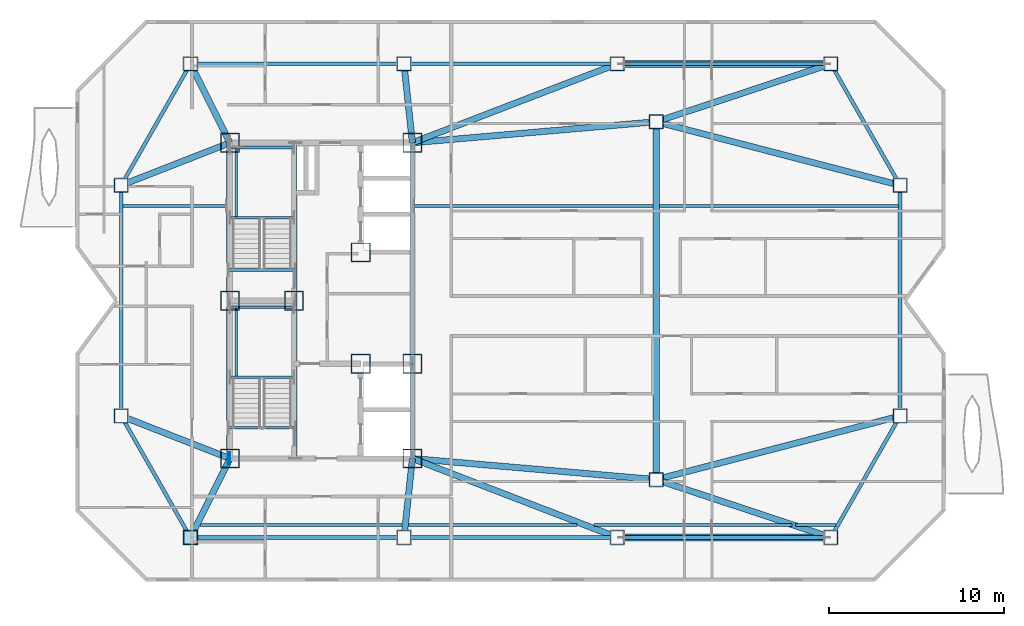
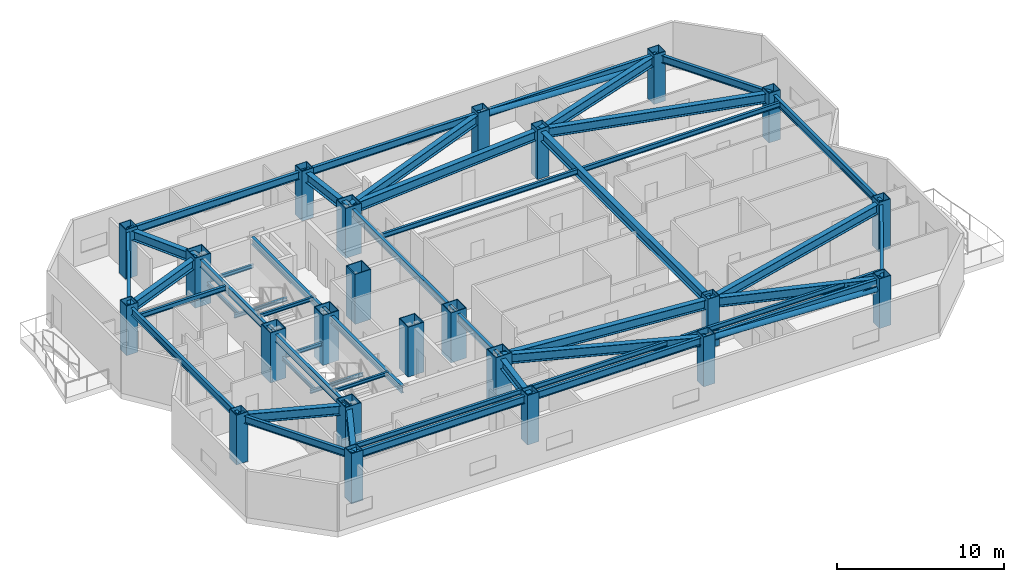
# One storey, part 1 of 10: 48 beams, 23 columns, 3 plates, 2 members.
"""IFC4 building model written with IfcOpenShell, lengths in metres."""

from ifc_helpers import new_model, si_unit, direction, frame, origin, origin_2d, place, context, subcontext, project, spatial, rectangle, hollow_rectangle, hollow_circle, i_section, extrude, material, layer, layer_set, material_profile, profile_set, type_object, element, save


model = new_model("IFC4")

# Units and contexts
model_context = context("Model", 3, precision=1e-05, world=origin(), true_north=direction((0.0, 1.0)))
body_context = subcontext(model_context, "Body", "Model", "MODEL_VIEW")
ifc_project = project(units=[si_unit("LENGTHUNIT", "METRE"), si_unit("AREAUNIT", "SQUARE_METRE"), si_unit("VOLUMEUNIT", "CUBIC_METRE"), si_unit("PLANEANGLEUNIT", "RADIAN"), si_unit("MASSUNIT", "GRAM", prefix="KILO")], contexts=[model_context])

# Site, building, storey
site_placement = place(None, origin())
site = spatial("IfcSite", under=ifc_project, at=site_placement, CompositionType="ELEMENT")
building_placement = place(site_placement, origin())
building = spatial("IfcBuilding", under=site, at=building_placement, Name="Khamvora Tower", CompositionType="ELEMENT")
storey_placement = place(building_placement, frame((0.0, 0.0, 217.199951171875)))
storey = spatial("IfcBuildingStorey", under=building, at=storey_placement, Name="L55", CompositionType="ELEMENT", Elevation=217.199951171875)

# Columns
ifc_material_1 = material(Name="Steel S460", Category="steel")
ifc_material_profile_1 = material_profile(ifc_material_1, hollow_rectangle(XDim=1.10009765625, YDim=1.10009765625, WallThickness=0.054931640625, at=origin_2d()), Name="BOX1100x1100x55")
ifc_profile_set_1 = profile_set([ifc_material_profile_1], Name="Steel S460")
column_type_1 = type_object("IfcColumnType", Name="COL-BOX1100", PredefinedType="COLUMN", material=ifc_profile_set_1)
for number, where, z_axis, x_axis, name in (
    (1, (29.0, 19.0, 0.0), (0.0, 0.0, 1.0), (1.0, 0.0, 0.0), "L55 plumb core spine column SC1"),
    (2, (32.64990234375, 28.0, 0.0), (0.0, 0.0, 1.0), (1.0, 0.0, 0.0), "L55 plumb core spine column SC2"),
    (3, (39.39990234375, 19.0, 0.0), (0.0, 0.0, 1.0), (1.0, 0.0, 0.0), "L55 plumb core spine column SC3"),
    (4, (29.0, 28.0, 0.0), (0.0, 0.0, 1.0), (1.0, 0.0, 0.0), "L55 plumb core spine column SC4"),
    (5, (36.449951171875, 24.39990234375, 0.0), (0.0, 0.0, 1.0), (1.0, 0.0, 0.0), "L55 plumb core spine column SC5"),
    (6, (39.39990234375, 24.39990234375, 0.0), (0.0, 0.0, 1.0), (1.0, 0.0, 0.0), "L55 plumb core spine column SC6"),
    (7, (29.0, 37.0, 0.0), (0.0, 0.0, 1.0), (1.0, 0.0, 0.0), "L55 plumb core spine column SC7"),
    (8, (36.449951171875, 30.75, 0.0), (0.0, 0.0, 1.0), (1.0, 0.0, 0.0), "L55 plumb core spine column SC8"),
    (9, (39.39990234375, 37.0, 0.0), (0.0, 0.0, 1.0), (1.0, 0.0, 0.0), "L55 plumb core spine column SC9"),
):
    element("IfcColumn", number, at=place(storey_placement, frame(where, z_axis=z_axis, x_axis=x_axis)), inside=storey, type_object=column_type_1, Name=name, PredefinedType="COLUMN", context=body_context, shape_type="SweptSolid", body=[
        extrude(hollow_rectangle(XDim=1.10009765625, YDim=1.10009765625, WallThickness=0.054931640625, at=origin_2d()), origin(), (0.0, 0.0, 1.0), 3.650146484375),
    ])
ifc_material_2 = material(Name="Steel S355", Category="steel")
ifc_material_profile_2 = material_profile(ifc_material_2, hollow_rectangle(XDim=0.800048828125, YDim=0.800048828125, WallThickness=0.0400390625, at=origin_2d()), Name="BOX800x800x40")
ifc_profile_set_2 = profile_set([ifc_material_profile_2], Name="Steel S355")
column_type_2 = type_object("IfcColumnType", Name="COL-BOX800", PredefinedType="COLUMN", material=ifc_profile_set_2)
for number, where, z_axis, x_axis, name in (
    (10, (26.75, 14.5, 0.025146484375), (0.0, 0.0, 1.0), (1.0, 0.0, 0.0), "L55 structural frame column S1"),
    (11, (38.9169921875, 14.5, 0.025146484375), (0.0, 0.0, 1.0), (1.0, 0.0, 0.0), "L55 structural frame column S2"),
    (12, (51.0830078125, 14.5, 0.025146484375), (0.0, 0.0, 1.0), (1.0, 0.0, 0.0), "L55 structural frame column S3"),
    (13, (63.25, 14.5, 0.025146484375), (0.0, 0.0, 1.0), (1.0, 0.0, 0.0), "L55 structural frame column S4"),
    (14, (26.75, 41.5, 0.025146484375), (0.0, 0.0, 1.0), (1.0, 0.0, 0.0), "L55 structural frame column N1"),
    (15, (38.9169921875, 41.5, 0.025146484375), (0.0, 0.0, 1.0), (1.0, 0.0, 0.0), "L55 structural frame column N2"),
    (16, (51.0830078125, 41.5, 0.025146484375), (0.0, 0.0, 1.0), (1.0, 0.0, 0.0), "L55 structural frame column N3"),
    (17, (63.25, 41.5, 0.025146484375), (0.0, 0.0, 1.0), (1.0, 0.0, 0.0), "L55 structural frame column N4"),
    (18, (22.800048828125, 21.425048828125, 0.025146484375), (0.0, 0.0, 1.0), (1.0, 0.0, 0.0), "L55 structural frame column W1"),
    (19, (22.800048828125, 34.574951171875, 0.025146484375), (0.0, 0.0, 1.0), (1.0, 0.0, 0.0), "L55 structural frame column W2"),
    (20, (67.199951171875, 21.425048828125, 0.025146484375), (0.0, 0.0, 1.0), (1.0, 0.0, 0.0), "L55 structural frame column E1"),
    (21, (67.199951171875, 34.574951171875, 0.025146484375), (0.0, 0.0, 1.0), (1.0, 0.0, 0.0), "L55 structural frame column E2"),
    (22, (53.300048828125, 17.800048828125, 0.025146484375), (0.0, 0.0, 1.0), (1.0, 0.0, 0.0), "L55 structural frame column M1"),
    (23, (53.300048828125, 38.199951171875, 0.025146484375), (0.0, 0.0, 1.0), (1.0, 0.0, 0.0), "L55 structural frame column M2"),
):
    element("IfcColumn", number, at=place(storey_placement, frame(where, z_axis=z_axis, x_axis=x_axis)), inside=storey, type_object=column_type_2, Name=name, PredefinedType="COLUMN", context=body_context, shape_type="SweptSolid", body=[
        extrude(hollow_rectangle(XDim=0.800048828125, YDim=0.800048828125, WallThickness=0.0400390625, at=origin_2d()), origin(), (0.0, 0.0, 1.0), 3.625),
    ])

# Beams
ifc_material_profile_3 = material_profile(ifc_material_2, i_section(OverallWidth=0.1708984375, OverallDepth=0.35498046875, WebThickness=0.007080078125, FlangeThickness=0.011962890625, FilletRadius=0.010009765625, at=origin_2d()), Name="W360x51")
ifc_profile_set_3 = profile_set([ifc_material_profile_3], Name="Steel S355")
beam_type_1 = type_object("IfcBeamType", Name="BM-JS-W360x51", PredefinedType="JOIST", material=ifc_profile_set_3)
beam_1_placement = place(storey_placement, frame((27.29296875, 15.199951171875, 3.251953125), z_axis=(1.0, 0.0, 0.0), x_axis=(0.0, 1.0, 0.0)))
element("IfcBeam", 24, at=beam_1_placement, inside=storey, type_object=beam_type_1, Name="L55 secondary floor joist 01", PredefinedType="JOIST", context=body_context, shape_type="SweptSolid", body=[
    extrude(i_section(OverallWidth=0.1708984375, OverallDepth=0.35498046875, WebThickness=0.007080078125, FlangeThickness=0.011962890625, FilletRadius=0.010009765625, at=origin_2d()), origin(), (0.0, 0.0, 1.0), 11.526123046875),
])
beam_2_placement = place(storey_placement, frame((39.166015625, 15.199951171875, 3.251953125), z_axis=(1.0, 0.0, 0.0), x_axis=(0.0, 1.0, 0.0)))
element("IfcBeam", 25, at=beam_2_placement, inside=storey, type_object=beam_type_1, Name="L55 secondary floor joist 02", PredefinedType="JOIST", context=body_context, shape_type="SweptSolid", body=[
    extrude(i_section(OverallWidth=0.1708984375, OverallDepth=0.35498046875, WebThickness=0.007080078125, FlangeThickness=0.011962890625, FilletRadius=0.010009765625, at=origin_2d()), origin(), (0.0, 0.0, 1.0), 9.611083984375),
])
beam_3_placement = place(storey_placement, frame((49.75390625, 15.199951171875, 3.251953125), z_axis=(1.0, 0.0, 0.0), x_axis=(0.0, 1.0, 0.0)))
element("IfcBeam", 26, at=beam_3_placement, inside=storey, type_object=beam_type_1, Name="L55 secondary floor joist 03", PredefinedType="JOIST", context=body_context, shape_type="SweptSolid", body=[
    extrude(i_section(OverallWidth=0.1708984375, OverallDepth=0.35498046875, WebThickness=0.007080078125, FlangeThickness=0.011962890625, FilletRadius=0.010009765625, at=origin_2d()), origin(), (0.0, 0.0, 1.0), 11.2900390625),
])
beam_4_placement = place(storey_placement, frame((61.23388671875, 15.199951171875, 3.251953125), z_axis=(1.0, 0.0, 0.0), x_axis=(0.0, 1.0, 0.0)))
element("IfcBeam", 27, at=beam_4_placement, inside=storey, type_object=beam_type_1, Name="L55 secondary floor joist 04", PredefinedType="JOIST", context=body_context, shape_type="SweptSolid", body=[
    extrude(i_section(OverallWidth=0.1708984375, OverallDepth=0.35498046875, WebThickness=0.007080078125, FlangeThickness=0.011962890625, FilletRadius=0.010009765625, at=origin_2d()), origin(), (0.0, 0.0, 1.0), 2.300048828125),
])
beam_5_placement = place(storey_placement, frame((22.89892578125, 33.39990234375, 3.251953125), z_axis=(1.0, 0.0, 0.0), x_axis=(0.0, 1.0, 0.0)))
element("IfcBeam", 28, at=beam_5_placement, inside=storey, type_object=beam_type_1, Name="L55 secondary floor joist 05", PredefinedType="JOIST", context=body_context, shape_type="SweptSolid", body=[
    extrude(i_section(OverallWidth=0.1708984375, OverallDepth=0.35498046875, WebThickness=0.007080078125, FlangeThickness=0.011962890625, FilletRadius=0.010009765625, at=origin_2d()), origin(), (0.0, 0.0, 1.0), 5.901123046875),
])
beam_6_placement = place(storey_placement, frame((39.4990234375, 33.39990234375, 3.251953125), z_axis=(1.0, 0.0, 0.0), x_axis=(0.0, 1.0, 0.0)))
element("IfcBeam", 29, at=beam_6_placement, inside=storey, type_object=beam_type_1, Name="L55 secondary floor joist 06", PredefinedType="JOIST", context=body_context, shape_type="SweptSolid", body=[
    extrude(i_section(OverallWidth=0.1708984375, OverallDepth=0.35498046875, WebThickness=0.007080078125, FlangeThickness=0.011962890625, FilletRadius=0.010009765625, at=origin_2d()), origin(), (0.0, 0.0, 1.0), 13.6279296875),
])
beam_7_placement = place(storey_placement, frame((53.471923828125, 33.39990234375, 3.251953125), z_axis=(1.0, 0.0, 0.0), x_axis=(0.0, 1.0, 0.0)))
element("IfcBeam", 30, at=beam_7_placement, inside=storey, type_object=beam_type_1, Name="L55 secondary floor joist 07", PredefinedType="JOIST", context=body_context, shape_type="SweptSolid", body=[
    extrude(i_section(OverallWidth=0.1708984375, OverallDepth=0.35498046875, WebThickness=0.007080078125, FlangeThickness=0.011962890625, FilletRadius=0.010009765625, at=origin_2d()), origin(), (0.0, 0.0, 1.0), 13.628173828125),
])
ifc_material_profile_4 = material_profile(ifc_material_2, i_section(OverallWidth=0.14697265625, OverallDepth=0.261962890625, WebThickness=0.007080078125, FlangeThickness=0.010986328125, FilletRadius=0.008056640625, at=origin_2d()), Name="W250x39")
ifc_profile_set_4 = profile_set([ifc_material_profile_4], Name="Steel S355")
beam_type_2 = type_object("IfcBeamType", Name="BM-LN-W250x39", PredefinedType="LINTEL", material=ifc_profile_set_4)
for number, where, z_axis, x_axis, name in (
    (31, (29.0, 23.635009765625, 1.494140625), (1.0, 0.0, 0.0), (0.0, 1.0, 0.0), "L55 ST-01 half-landing support beam 1.1"),
    (32, (29.0, 27.6298828125, 1.494140625), (1.0, 0.0, 0.0), (0.0, 1.0, 0.0), "L55 ST-01 half-landing support beam 1.2"),
):
    element("IfcBeam", number, at=place(storey_placement, frame(where, z_axis=z_axis, x_axis=x_axis)), inside=storey, type_object=beam_type_2, Name=name, PredefinedType="LINTEL", context=body_context, shape_type="SweptSolid", body=[
        extrude(i_section(OverallWidth=0.14697265625, OverallDepth=0.261962890625, WebThickness=0.007080078125, FlangeThickness=0.010986328125, FilletRadius=0.008056640625, at=origin_2d()), origin(), (0.0, 0.0, 1.0), 3.64990234375),
    ])
beam_8_placement = place(storey_placement, frame((29.35009765625, 23.635009765625, 1.494140625), z_axis=(0.0, 1.0, 0.0), x_axis=(-1.0, 0.0, 0.0)))
element("IfcBeam", 33, at=beam_8_placement, inside=storey, type_object=beam_type_2, Name="L55 ST-01 half-landing edge stringer 1", PredefinedType="LINTEL", context=body_context, shape_type="SweptSolid", body=[
    extrude(i_section(OverallWidth=0.14697265625, OverallDepth=0.261962890625, WebThickness=0.007080078125, FlangeThickness=0.010986328125, FilletRadius=0.008056640625, at=origin_2d()), origin(), (0.0, 0.0, 1.0), 3.994873046875),
])
for number, where, z_axis, x_axis, name in (
    (34, (29.0, 32.735107421875, 1.494140625), (1.0, 0.0, 0.0), (0.0, 1.0, 0.0), "L55 ST-02 half-landing support beam 1.1"),
    (35, (29.0, 36.72998046875, 1.494140625), (1.0, 0.0, 0.0), (0.0, 1.0, 0.0), "L55 ST-02 half-landing support beam 1.2"),
):
    element("IfcBeam", number, at=place(storey_placement, frame(where, z_axis=z_axis, x_axis=x_axis)), inside=storey, type_object=beam_type_2, Name=name, PredefinedType="LINTEL", context=body_context, shape_type="SweptSolid", body=[
        extrude(i_section(OverallWidth=0.14697265625, OverallDepth=0.261962890625, WebThickness=0.007080078125, FlangeThickness=0.010986328125, FilletRadius=0.008056640625, at=origin_2d()), origin(), (0.0, 0.0, 1.0), 3.64990234375),
    ])
beam_9_placement = place(storey_placement, frame((29.35009765625, 32.735107421875, 1.494140625), z_axis=(0.0, 1.0, 0.0), x_axis=(-1.0, 0.0, 0.0)))
element("IfcBeam", 36, at=beam_9_placement, inside=storey, type_object=beam_type_2, Name="L55 ST-02 half-landing edge stringer 1", PredefinedType="LINTEL", context=body_context, shape_type="SweptSolid", body=[
    extrude(i_section(OverallWidth=0.14697265625, OverallDepth=0.261962890625, WebThickness=0.007080078125, FlangeThickness=0.010986328125, FilletRadius=0.008056640625, at=origin_2d()), origin(), (0.0, 0.0, 1.0), 3.994873046875),
])
for number, where, z_axis, x_axis, name in (
    (37, (28.89990234375, 20.75, 3.303955078125), (1.0, 0.0, 0.0), (0.0, 1.0, 0.0), "L55 exit stair ST-01 landing trimmer beam"),
    (38, (28.89990234375, 29.75, 3.303955078125), (1.0, 0.0, 0.0), (0.0, 1.0, 0.0), "L55 exit stair ST-02 landing trimmer beam"),
):
    element("IfcBeam", number, at=place(storey_placement, frame(where, z_axis=z_axis, x_axis=x_axis)), inside=storey, type_object=beam_type_2, Name=name, PredefinedType="LINTEL", context=body_context, shape_type="SweptSolid", body=[
        extrude(i_section(OverallWidth=0.14697265625, OverallDepth=0.261962890625, WebThickness=0.007080078125, FlangeThickness=0.010986328125, FilletRadius=0.008056640625, at=origin_2d()), origin(), (0.0, 0.0, 1.0), 3.830078125),
    ])
ifc_material_profile_5 = material_profile(ifc_material_2, i_section(OverallWidth=0.35498046875, OverallDepth=0.695068359375, WebThickness=0.014892578125, FlangeThickness=0.02490234375, FilletRadius=0.01611328125, at=origin_2d()), Name="W690x217")
ifc_profile_set_5 = profile_set([ifc_material_profile_5], Name="Steel S355")
beam_type_3 = type_object("IfcBeamType", Name="BM-PG-W690x217", PredefinedType="BEAM", material=ifc_profile_set_5)
beam_10_placement = place(storey_placement, frame((53.300048828125, 17.800048828125, 3.08203125), z_axis=(0.0, 1.0, 0.0), x_axis=(-1.0, 0.0, 0.0)))
element("IfcBeam", 39, at=beam_10_placement, inside=storey, type_object=beam_type_3, Name="L55 longitudinal frame girder M1-M2", PredefinedType="BEAM", context=body_context, shape_type="SweptSolid", body=[
    extrude(i_section(OverallWidth=0.35498046875, OverallDepth=0.695068359375, WebThickness=0.014892578125, FlangeThickness=0.02490234375, FilletRadius=0.01611328125, at=origin_2d()), origin(), (0.0, 0.0, 1.0), 20.39990234375),
])
beam_11_placement = place(storey_placement, frame((29.0, 19.0, 3.08203125), z_axis=(-0.4472135955, -0.894427191, 0.0), x_axis=(0.894427191, -0.4472135955, 0.0)))
element("IfcBeam", 40, at=beam_11_placement, inside=storey, type_object=beam_type_3, Name="L55 primary floor girder S1", PredefinedType="BEAM", context=body_context, shape_type="SweptSolid", body=[
    extrude(i_section(OverallWidth=0.35498046875, OverallDepth=0.695068359375, WebThickness=0.014892578125, FlangeThickness=0.02490234375, FilletRadius=0.01611328125, at=origin_2d()), origin(), (0.0, 0.0, 1.0), 5.03125),
])
beam_12_placement = place(storey_placement, frame((39.39990234375, 19.0, 3.08203125), z_axis=(-0.106700735484, -0.994291181218, 0.0), x_axis=(0.994291181218, -0.106700735484, 0.0)))
element("IfcBeam", 41, at=beam_12_placement, inside=storey, type_object=beam_type_3, Name="L55 primary floor girder S2", PredefinedType="BEAM", context=body_context, shape_type="SweptSolid", body=[
    extrude(i_section(OverallWidth=0.35498046875, OverallDepth=0.695068359375, WebThickness=0.014892578125, FlangeThickness=0.02490234375, FilletRadius=0.01611328125, at=origin_2d()), origin(), (0.0, 0.0, 1.0), 4.52587890625),
])
beam_13_placement = place(storey_placement, frame((39.39990234375, 19.0, 3.08203125), z_axis=(0.933171601475, -0.359431164759, 0.0), x_axis=(0.359431164759, 0.933171601475, 0.0)))
element("IfcBeam", 42, at=beam_13_placement, inside=storey, type_object=beam_type_3, Name="L55 primary floor girder S3", PredefinedType="BEAM", context=body_context, shape_type="SweptSolid", body=[
    extrude(i_section(OverallWidth=0.35498046875, OverallDepth=0.695068359375, WebThickness=0.014892578125, FlangeThickness=0.02490234375, FilletRadius=0.01611328125, at=origin_2d()), origin(), (0.0, 0.0, 1.0), 12.519775390625),
])
beam_14_placement = place(storey_placement, frame((53.300048828125, 17.800048828125, 3.08203125), z_axis=(0.949157330029, -0.314802101092, 0.0), x_axis=(0.314802101092, 0.949157330029, 0.0)))
element("IfcBeam", 43, at=beam_14_placement, inside=storey, type_object=beam_type_3, Name="L55 primary floor girder S4", PredefinedType="BEAM", context=body_context, shape_type="SweptSolid", body=[
    extrude(i_section(OverallWidth=0.35498046875, OverallDepth=0.695068359375, WebThickness=0.014892578125, FlangeThickness=0.02490234375, FilletRadius=0.01611328125, at=origin_2d()), origin(), (0.0, 0.0, 1.0), 10.48291015625),
])
beam_15_placement = place(storey_placement, frame((29.0, 37.0, 3.08203125), z_axis=(-0.4472135955, 0.894427191, 0.0), x_axis=(-0.894427191, -0.4472135955, 0.0)))
element("IfcBeam", 44, at=beam_15_placement, inside=storey, type_object=beam_type_3, Name="L55 primary floor girder N1", PredefinedType="BEAM", context=body_context, shape_type="SweptSolid", body=[
    extrude(i_section(OverallWidth=0.35498046875, OverallDepth=0.695068359375, WebThickness=0.014892578125, FlangeThickness=0.02490234375, FilletRadius=0.01611328125, at=origin_2d()), origin(), (0.0, 0.0, 1.0), 5.03125),
])
beam_16_placement = place(storey_placement, frame((39.39990234375, 37.0, 3.08203125), z_axis=(-0.106700735484, 0.994291181218, 0.0), x_axis=(-0.994291181218, -0.106700735484, 0.0)))
element("IfcBeam", 45, at=beam_16_placement, inside=storey, type_object=beam_type_3, Name="L55 primary floor girder N2", PredefinedType="BEAM", context=body_context, shape_type="SweptSolid", body=[
    extrude(i_section(OverallWidth=0.35498046875, OverallDepth=0.695068359375, WebThickness=0.014892578125, FlangeThickness=0.02490234375, FilletRadius=0.01611328125, at=origin_2d()), origin(), (0.0, 0.0, 1.0), 4.52587890625),
])
beam_17_placement = place(storey_placement, frame((39.39990234375, 37.0, 3.08203125), z_axis=(0.933171601475, 0.359431164759, 0.0), x_axis=(-0.359431164759, 0.933171601475, 0.0)))
element("IfcBeam", 46, at=beam_17_placement, inside=storey, type_object=beam_type_3, Name="L55 primary floor girder N3", PredefinedType="BEAM", context=body_context, shape_type="SweptSolid", body=[
    extrude(i_section(OverallWidth=0.35498046875, OverallDepth=0.695068359375, WebThickness=0.014892578125, FlangeThickness=0.02490234375, FilletRadius=0.01611328125, at=origin_2d()), origin(), (0.0, 0.0, 1.0), 12.519775390625),
])
beam_18_placement = place(storey_placement, frame((53.300048828125, 38.199951171875, 3.08203125), z_axis=(0.949157330029, 0.314802101092, 0.0), x_axis=(-0.314802101092, 0.949157330029, 0.0)))
element("IfcBeam", 47, at=beam_18_placement, inside=storey, type_object=beam_type_3, Name="L55 primary floor girder N4", PredefinedType="BEAM", context=body_context, shape_type="SweptSolid", body=[
    extrude(i_section(OverallWidth=0.35498046875, OverallDepth=0.695068359375, WebThickness=0.014892578125, FlangeThickness=0.02490234375, FilletRadius=0.01611328125, at=origin_2d()), origin(), (0.0, 0.0, 1.0), 10.48291015625),
])
for number, where, z_axis, x_axis, name in (
    (48, (29.0, 19.0, 3.08203125), (-0.931294712743, 0.36426660294, 0.0), (-0.36426660294, -0.931294712743, 0.0), "L55 primary floor girder W1"),
    (49, (29.0, 37.0, 3.08203125), (-0.931294712743, -0.36426660294, 0.0), (0.36426660294, -0.931294712743, 0.0), "L55 primary floor girder W2"),
):
    element("IfcBeam", number, at=place(storey_placement, frame(where, z_axis=z_axis, x_axis=x_axis)), inside=storey, type_object=beam_type_3, Name=name, PredefinedType="BEAM", context=body_context, shape_type="SweptSolid", body=[
        extrude(i_section(OverallWidth=0.35498046875, OverallDepth=0.695068359375, WebThickness=0.014892578125, FlangeThickness=0.02490234375, FilletRadius=0.01611328125, at=origin_2d()), origin(), (0.0, 0.0, 1.0), 6.6572265625),
    ])
for number, where, z_axis, x_axis, name in (
    (50, (53.300048828125, 17.800048828125, 3.08203125), (0.967635318494, 0.252352710314, 0.0), (-0.252352710314, 0.967635318494, 0.0), "L55 primary floor girder E1"),
    (51, (53.300048828125, 38.199951171875, 3.08203125), (0.967635318494, -0.252352710314, 0.0), (0.252352710314, 0.967635318494, 0.0), "L55 primary floor girder E2"),
):
    element("IfcBeam", number, at=place(storey_placement, frame(where, z_axis=z_axis, x_axis=x_axis)), inside=storey, type_object=beam_type_3, Name=name, PredefinedType="BEAM", context=body_context, shape_type="SweptSolid", body=[
        extrude(i_section(OverallWidth=0.35498046875, OverallDepth=0.695068359375, WebThickness=0.014892578125, FlangeThickness=0.02490234375, FilletRadius=0.01611328125, at=origin_2d()), origin(), (0.0, 0.0, 1.0), 14.36474609375),
    ])
for number, where, z_axis, x_axis, name in (
    (52, (39.39990234375, 19.0, 3.08203125), (0.996294564212, -0.08600663534, 0.0), (0.08600663534, 0.996294564212, 0.0), "L55 primary floor girder M1"),
    (53, (39.39990234375, 37.0, 3.08203125), (0.996294564212, 0.08600663534, 0.0), (-0.08600663534, 0.996294564212, 0.0), "L55 primary floor girder M2"),
):
    element("IfcBeam", number, at=place(storey_placement, frame(where, z_axis=z_axis, x_axis=x_axis)), inside=storey, type_object=beam_type_3, Name=name, PredefinedType="BEAM", context=body_context, shape_type="SweptSolid", body=[
        extrude(i_section(OverallWidth=0.35498046875, OverallDepth=0.695068359375, WebThickness=0.014892578125, FlangeThickness=0.02490234375, FilletRadius=0.01611328125, at=origin_2d()), origin(), (0.0, 0.0, 1.0), 13.951904296875),
    ])
ifc_material_profile_6 = material_profile(ifc_material_2, i_section(OverallWidth=0.208984375, OverallDepth=0.532958984375, WebThickness=0.010009765625, FlangeThickness=0.01611328125, FilletRadius=0.013916015625, at=origin_2d()), Name="W530x92")
ifc_profile_set_6 = profile_set([ifc_material_profile_6], Name="Steel S355")
beam_type_4 = type_object("IfcBeamType", Name="BM-SP-W530x92", PredefinedType="SPANDREL", material=ifc_profile_set_6)
beam_19_placement = place(storey_placement, frame((22.800048828125, 21.425048828125, 3.1630859375), z_axis=(0.495456118564, -0.868632968853, 0.0), x_axis=(0.868632968853, 0.495456118564, 0.0)))
element("IfcBeam", 54, at=beam_19_placement, inside=storey, type_object=beam_type_4, Name="L55 perimeter spandrel beam W1-S1", PredefinedType="SPANDREL", context=body_context, shape_type="SweptSolid", body=[
    extrude(i_section(OverallWidth=0.208984375, OverallDepth=0.532958984375, WebThickness=0.010009765625, FlangeThickness=0.01611328125, FilletRadius=0.013916015625, at=origin_2d()), origin(), (0.0, 0.0, 1.0), 7.972412109375),
])
beam_20_placement = place(storey_placement, frame((26.75, 14.5, 3.1630859375), z_axis=(1.0, 0.0, 0.0), x_axis=(0.0, 1.0, 0.0)))
element("IfcBeam", 55, at=beam_20_placement, inside=storey, type_object=beam_type_4, Name="L55 perimeter spandrel beam S1-S2", PredefinedType="SPANDREL", context=body_context, shape_type="SweptSolid", body=[
    extrude(i_section(OverallWidth=0.208984375, OverallDepth=0.532958984375, WebThickness=0.010009765625, FlangeThickness=0.01611328125, FilletRadius=0.013916015625, at=origin_2d()), origin(), (0.0, 0.0, 1.0), 12.1669921875),
])
beam_21_placement = place(storey_placement, frame((38.9169921875, 14.5, 3.1630859375), z_axis=(1.0, 0.0, 0.0), x_axis=(0.0, 1.0, 0.0)))
element("IfcBeam", 56, at=beam_21_placement, inside=storey, type_object=beam_type_4, Name="L55 perimeter spandrel beam S2-S3", PredefinedType="SPANDREL", context=body_context, shape_type="SweptSolid", body=[
    extrude(i_section(OverallWidth=0.208984375, OverallDepth=0.532958984375, WebThickness=0.010009765625, FlangeThickness=0.01611328125, FilletRadius=0.013916015625, at=origin_2d()), origin(), (0.0, 0.0, 1.0), 12.166015625),
])
beam_22_placement = place(storey_placement, frame((51.0830078125, 14.5, 3.1630859375), z_axis=(1.0, 0.0, 0.0), x_axis=(0.0, 1.0, 0.0)))
element("IfcBeam", 57, at=beam_22_placement, inside=storey, type_object=beam_type_4, Name="L55 perimeter spandrel beam S3-S4", PredefinedType="SPANDREL", context=body_context, shape_type="SweptSolid", body=[
    extrude(i_section(OverallWidth=0.208984375, OverallDepth=0.532958984375, WebThickness=0.010009765625, FlangeThickness=0.01611328125, FilletRadius=0.013916015625, at=origin_2d()), origin(), (0.0, 0.0, 1.0), 12.1669921875),
])
beam_23_placement = place(storey_placement, frame((63.25, 14.5, 3.1630859375), z_axis=(0.495456118564, 0.868632968853, 0.0), x_axis=(-0.868632968853, 0.495456118564, 0.0)))
element("IfcBeam", 58, at=beam_23_placement, inside=storey, type_object=beam_type_4, Name="L55 perimeter spandrel beam S4-E1", PredefinedType="SPANDREL", context=body_context, shape_type="SweptSolid", body=[
    extrude(i_section(OverallWidth=0.208984375, OverallDepth=0.532958984375, WebThickness=0.010009765625, FlangeThickness=0.01611328125, FilletRadius=0.013916015625, at=origin_2d()), origin(), (0.0, 0.0, 1.0), 7.972412109375),
])
beam_24_placement = place(storey_placement, frame((67.199951171875, 21.425048828125, 3.1630859375), z_axis=(0.0, 1.0, 0.0), x_axis=(-1.0, 0.0, 0.0)))
element("IfcBeam", 59, at=beam_24_placement, inside=storey, type_object=beam_type_4, Name="L55 perimeter spandrel beam E1-E2", PredefinedType="SPANDREL", context=body_context, shape_type="SweptSolid", body=[
    extrude(i_section(OverallWidth=0.208984375, OverallDepth=0.532958984375, WebThickness=0.010009765625, FlangeThickness=0.01611328125, FilletRadius=0.013916015625, at=origin_2d()), origin(), (0.0, 0.0, 1.0), 13.14990234375),
])
beam_25_placement = place(storey_placement, frame((67.199951171875, 34.574951171875, 3.1630859375), z_axis=(-0.495456118564, 0.868632968853, 0.0), x_axis=(-0.868632968853, -0.495456118564, 0.0)))
element("IfcBeam", 60, at=beam_25_placement, inside=storey, type_object=beam_type_4, Name="L55 perimeter spandrel beam E2-N4", PredefinedType="SPANDREL", context=body_context, shape_type="SweptSolid", body=[
    extrude(i_section(OverallWidth=0.208984375, OverallDepth=0.532958984375, WebThickness=0.010009765625, FlangeThickness=0.01611328125, FilletRadius=0.013916015625, at=origin_2d()), origin(), (0.0, 0.0, 1.0), 7.972412109375),
])
beam_26_placement = place(storey_placement, frame((63.25, 41.5, 3.1630859375), z_axis=(-1.0, 0.0, 0.0), x_axis=(0.0, -1.0, 0.0)))
element("IfcBeam", 61, at=beam_26_placement, inside=storey, type_object=beam_type_4, Name="L55 perimeter spandrel beam N4-N3", PredefinedType="SPANDREL", context=body_context, shape_type="SweptSolid", body=[
    extrude(i_section(OverallWidth=0.208984375, OverallDepth=0.532958984375, WebThickness=0.010009765625, FlangeThickness=0.01611328125, FilletRadius=0.013916015625, at=origin_2d()), origin(), (0.0, 0.0, 1.0), 12.1669921875),
])
beam_27_placement = place(storey_placement, frame((51.0830078125, 41.5, 3.1630859375), z_axis=(-1.0, 0.0, 0.0), x_axis=(0.0, -1.0, 0.0)))
element("IfcBeam", 62, at=beam_27_placement, inside=storey, type_object=beam_type_4, Name="L55 perimeter spandrel beam N3-N2", PredefinedType="SPANDREL", context=body_context, shape_type="SweptSolid", body=[
    extrude(i_section(OverallWidth=0.208984375, OverallDepth=0.532958984375, WebThickness=0.010009765625, FlangeThickness=0.01611328125, FilletRadius=0.013916015625, at=origin_2d()), origin(), (0.0, 0.0, 1.0), 12.166015625),
])
beam_28_placement = place(storey_placement, frame((38.9169921875, 41.5, 3.1630859375), z_axis=(-1.0, 0.0, 0.0), x_axis=(0.0, -1.0, 0.0)))
element("IfcBeam", 63, at=beam_28_placement, inside=storey, type_object=beam_type_4, Name="L55 perimeter spandrel beam N2-N1", PredefinedType="SPANDREL", context=body_context, shape_type="SweptSolid", body=[
    extrude(i_section(OverallWidth=0.208984375, OverallDepth=0.532958984375, WebThickness=0.010009765625, FlangeThickness=0.01611328125, FilletRadius=0.013916015625, at=origin_2d()), origin(), (0.0, 0.0, 1.0), 12.1669921875),
])
beam_29_placement = place(storey_placement, frame((26.75, 41.5, 3.1630859375), z_axis=(-0.495456118564, -0.868632968853, 0.0), x_axis=(0.868632968853, -0.495456118564, 0.0)))
element("IfcBeam", 64, at=beam_29_placement, inside=storey, type_object=beam_type_4, Name="L55 perimeter spandrel beam N1-W2", PredefinedType="SPANDREL", context=body_context, shape_type="SweptSolid", body=[
    extrude(i_section(OverallWidth=0.208984375, OverallDepth=0.532958984375, WebThickness=0.010009765625, FlangeThickness=0.01611328125, FilletRadius=0.013916015625, at=origin_2d()), origin(), (0.0, 0.0, 1.0), 7.972412109375),
])
beam_30_placement = place(storey_placement, frame((22.800048828125, 34.574951171875, 3.1630859375), z_axis=(0.0, -1.0, 0.0), x_axis=(1.0, 0.0, 0.0)))
element("IfcBeam", 65, at=beam_30_placement, inside=storey, type_object=beam_type_4, Name="L55 perimeter spandrel beam W2-W1", PredefinedType="SPANDREL", context=body_context, shape_type="SweptSolid", body=[
    extrude(i_section(OverallWidth=0.208984375, OverallDepth=0.532958984375, WebThickness=0.010009765625, FlangeThickness=0.01611328125, FilletRadius=0.013916015625, at=origin_2d()), origin(), (0.0, 0.0, 1.0), 13.14990234375),
])
for number, where, z_axis, x_axis, name in (
    (66, (28.89990234375, 19.0, 3.1630859375), (0.0, 1.0, 0.0), (-1.0, 0.0, 0.0), "L55 core spine girder WS"),
    (67, (28.89990234375, 28.0, 3.1630859375), (0.0, 1.0, 0.0), (-1.0, 0.0, 0.0), "L55 core spine girder WN"),
    (68, (32.72998046875, 19.0, 3.1630859375), (0.0, 1.0, 0.0), (-1.0, 0.0, 0.0), "L55 core spine girder M1S"),
    (69, (32.72998046875, 28.0, 3.1630859375), (0.0, 1.0, 0.0), (-1.0, 0.0, 0.0), "L55 core spine girder M1N"),
):
    element("IfcBeam", number, at=place(storey_placement, frame(where, z_axis=z_axis, x_axis=x_axis)), inside=storey, type_object=beam_type_4, Name=name, PredefinedType="SPANDREL", context=body_context, shape_type="SweptSolid", body=[
        extrude(i_section(OverallWidth=0.208984375, OverallDepth=0.532958984375, WebThickness=0.010009765625, FlangeThickness=0.01611328125, FilletRadius=0.013916015625, at=origin_2d()), origin(), (0.0, 0.0, 1.0), 9.0),
    ])
beam_31_placement = place(storey_placement, frame((39.39990234375, 19.0, 3.1630859375), z_axis=(0.0, 1.0, 0.0), x_axis=(-1.0, 0.0, 0.0)))
element("IfcBeam", 70, at=beam_31_placement, inside=storey, type_object=beam_type_4, Name="L55 core spine girder ES", PredefinedType="SPANDREL", context=body_context, shape_type="SweptSolid", body=[
    extrude(i_section(OverallWidth=0.208984375, OverallDepth=0.532958984375, WebThickness=0.010009765625, FlangeThickness=0.01611328125, FilletRadius=0.013916015625, at=origin_2d()), origin(), (0.0, 0.0, 1.0), 5.39990234375),
])
beam_32_placement = place(storey_placement, frame((39.39990234375, 24.39990234375, 3.1630859375), z_axis=(0.0, 1.0, 0.0), x_axis=(-1.0, 0.0, 0.0)))
element("IfcBeam", 71, at=beam_32_placement, inside=storey, type_object=beam_type_4, Name="L55 core spine girder EN", PredefinedType="SPANDREL", context=body_context, shape_type="SweptSolid", body=[
    extrude(i_section(OverallWidth=0.208984375, OverallDepth=0.532958984375, WebThickness=0.010009765625, FlangeThickness=0.01611328125, FilletRadius=0.013916015625, at=origin_2d()), origin(), (0.0, 0.0, 1.0), 12.60009765625),
])

# Members
ifc_material_profile_7 = material_profile(ifc_material_2, hollow_circle(Radius=0.202880859375, WallThickness=0.01611328125, at=origin_2d()), Name="CHS406x16")
ifc_profile_set_7 = profile_set([ifc_material_profile_7], Name="Steel S355")
member_type = type_object("IfcMemberType", Name="MEM-BR-CHS406", PredefinedType="BRACE", material=ifc_profile_set_7)
for number, where, z_axis, x_axis, name in (
    (72, (62.8701171875, 14.5, 2.695068359375), (-0.999212836813, 0.0, 0.039669972868), (0.0, -1.0, 0.0), "L55 perimeter wind brace 1"),
    (73, (62.8701171875, 41.5, 2.695068359375), (-0.999212836813, 0.0, 0.039669972868), (0.0, -1.0, 0.0), "L55 perimeter wind brace 2"),
):
    element("IfcMember", number, at=place(storey_placement, frame(where, z_axis=z_axis, x_axis=x_axis)), inside=storey, type_object=member_type, Name=name, PredefinedType="BRACE", context=body_context, shape_type="SweptSolid", body=[
        extrude(hollow_circle(Radius=0.202880859375, WallThickness=0.01611328125, at=origin_2d()), origin(), (0.0, 0.0, 1.0), 11.416259765625),
    ])

# Plates
ifc_layer_1 = layer(ifc_material_2, 0.02490234375)
ifc_layer_set_1 = layer_set([ifc_layer_1], Name="Steel S355")
plate_type_1 = type_object("IfcPlateType", Name="PL-CAP-25", PredefinedType="SHEET", material=ifc_layer_set_1)
plate_placement = place(storey_placement, frame((26.75, 14.5, -0.00048828125), z_axis=(0.0, 0.0, 1.0), x_axis=(1.0, 0.0, 0.0)))
element("IfcPlate", 74, at=plate_placement, inside=storey, type_object=plate_type_1, Name="L55 hollow section steel end cap plate 0230", PredefinedType="SHEET", context=body_context, shape_type="SweptSolid", body=[
    extrude(rectangle(XDim=0.830078125, YDim=0.830078125, at=origin_2d()), origin(), (0.0, 0.0, 1.0), 0.02490234375),
])
ifc_layer_2 = layer(ifc_material_1, 0.034912109375)
ifc_layer_set_2 = layer_set([ifc_layer_2], Name="Steel S460")
plate_type_2 = type_object("IfcPlateType", Name="PL-EMB-35", PredefinedType="SHEET", material=ifc_layer_set_2)
for number, where, z_axis, x_axis, name in (
    (75, (29.0, 19.0, 2.72216796875), (0.0, 0.0, 1.0), (1.0, 0.0, 0.0), "L55 core shear wall cast-in embed plate 1611"),
    (76, (28.89990234375, 19.0, 2.80322265625), (0.0, 0.0, 1.0), (1.0, 0.0, 0.0), "L55 core shear wall cast-in embed plate 1615"),
):
    element("IfcPlate", number, at=place(storey_placement, frame(where, z_axis=z_axis, x_axis=x_axis)), inside=storey, type_object=plate_type_2, Name=name, PredefinedType="SHEET", context=body_context, shape_type="SweptSolid", body=[
        extrude(rectangle(XDim=0.034912109375, YDim=0.719970703125, at=origin_2d()), origin(), (0.0, 0.0, 1.0), 0.719970703125),
    ])

save(model, "model.ifc")
